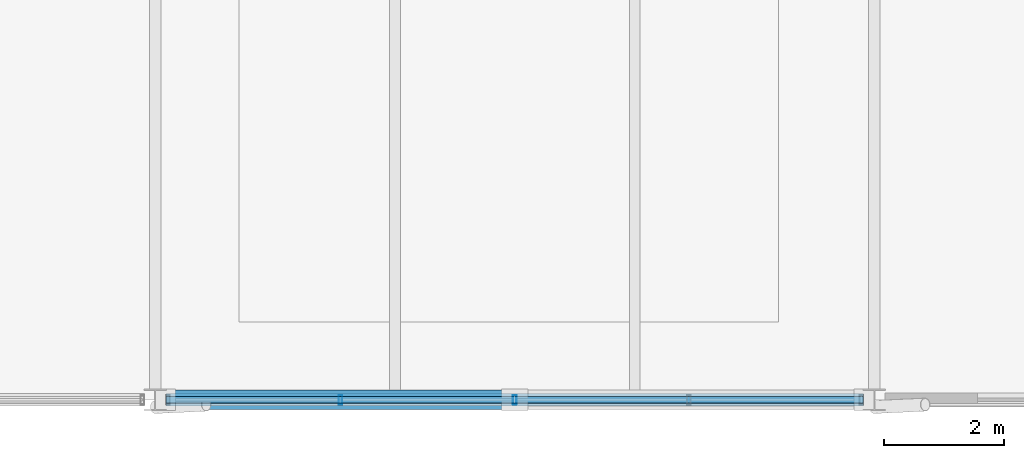
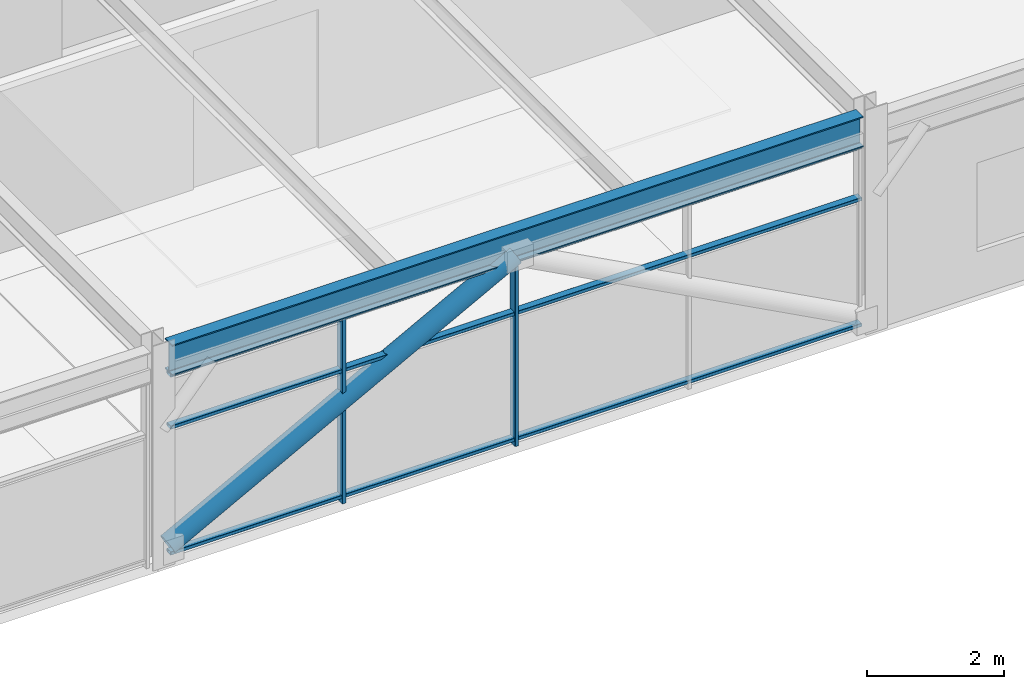
# One storey, part 27 of 40: 6 members, 1 beam, 1 element without a shape of its own.
"""IFC4 building model written with IfcOpenShell, lengths in metres."""

from ifc_helpers import new_model, si_unit, direction, frame, origin, origin_2d, place, context, subcontext, project, spatial, hollow_rectangle, hollow_circle, i_section, extrude, material, material_profile, profile_set, type_object, element, aggregate, save


model = new_model("IFC4")

# Units and contexts
model_context = context("Model", 3, precision=1e-05, world=origin(), true_north=direction((0.0, 1.0)))
body_context = subcontext(model_context, "Body", "Model", "MODEL_VIEW")
ifc_project = project(units=[si_unit("LENGTHUNIT", "METRE"), si_unit("AREAUNIT", "SQUARE_METRE"), si_unit("VOLUMEUNIT", "CUBIC_METRE"), si_unit("PLANEANGLEUNIT", "RADIAN"), si_unit("MASSUNIT", "GRAM", prefix="KILO")], contexts=[model_context])

# Site, building, storey
site_placement = place(None, origin())
site = spatial("IfcSite", under=ifc_project, at=site_placement, CompositionType="ELEMENT")
building_placement = place(site_placement, origin())
building = spatial("IfcBuilding", under=site, at=building_placement, Name="Girod Span Mobility Hub", CompositionType="ELEMENT")
storey_placement = place(building_placement, frame((0.0, 0.0, 57.60009765625)))
storey = spatial("IfcBuildingStorey", under=building, at=storey_placement, Name="L14", CompositionType="ELEMENT", Elevation=57.60009765625)

# Beam
ifc_material_1 = material(Name="Steel A992 Grade 50", Category="steel")
ifc_material_profile_1 = material_profile(ifc_material_1, i_section(OverallWidth=0.2119140625, OverallDepth=0.5439453125, WebThickness=0.01318359375, FlangeThickness=0.021240234375, FilletRadius=0.014892578125, at=origin_2d()), Name="W21X83")
ifc_profile_set_1 = profile_set([ifc_material_profile_1], Name="Steel A992 Grade 50")
beam_type = type_object("IfcBeamType", Name="BM-STL-W21X83", PredefinedType="SPANDREL", material=ifc_profile_set_1)
beam_placement = place(storey_placement, frame((108.181396484375, 45.0, 3.577880859375), z_axis=(1.0, 0.0, 0.0), x_axis=(0.0, 1.0, 0.0)))
element("IfcBeam", 1, at=beam_placement, inside=storey, type_object=beam_type, Name="Girder 10-11/D L14", PredefinedType="SPANDREL", context=body_context, shape_type="SweptSolid", body=[
    extrude(i_section(OverallWidth=0.2119140625, OverallDepth=0.5439453125, WebThickness=0.01318359375, FlangeThickness=0.021240234375, FilletRadius=0.014892578125, at=origin_2d()), origin(), (0.0, 0.0, 1.0), 11.63720703125),
])

# Curtain wall, members
ifc_material_2 = material(Name="Thermally Broken Anodised Aluminium", Category="aluminium")
curtain_wall_type = type_object("IfcCurtainWallType", Name="CW-1164X331", PredefinedType="USERDEFINED", material=ifc_material_2)
curtain_wall_placement = place(storey_placement, origin())
curtain_wall = element("IfcCurtainWall", 2, at=curtain_wall_placement, inside=storey, type_object=curtain_wall_type, Name="Unitised Curtain Wall CW-L14-S10 L14", ObjectType="UNITISED CURTAIN WALL", PredefinedType="USERDEFINED")
ifc_material_3 = material(Name="Thermally Broken Anodised Aluminium", Category="aluminium")
ifc_material_profile_2 = material_profile(ifc_material_3, hollow_rectangle(XDim=0.159912109375, YDim=0.06005859375, WallThickness=0.00341796875, InnerFilletRadius=0.00341796875, OuterFilletRadius=0.007080078125, at=origin_2d()), Name="CW-ML-60X160")
ifc_profile_set_2 = profile_set([ifc_material_profile_2], Name="Thermally Broken Anodised Aluminium")
member_type_1 = type_object("IfcMemberType", Name="CWM-ML-3", PredefinedType="MULLION", material=ifc_profile_set_2)
member_1_placement = place(storey_placement, frame((111.09130859375, 45.0, 0.0), z_axis=(0.0, 0.0, 1.0), x_axis=(0.0, 1.0, 0.0)))
member_1 = element("IfcMember", 3, at=member_1_placement, type_object=member_type_1, Name="Curtain Wall Mullion CW-L14-S10-M1", PredefinedType="MULLION", context=body_context, shape_type="SweptSolid", body=[
    extrude(hollow_rectangle(XDim=0.159912109375, YDim=0.06005859375, WallThickness=0.00341796875, InnerFilletRadius=0.00341796875, OuterFilletRadius=0.007080078125, at=origin_2d()), origin(), (0.0, 0.0, 1.0), 3.305908203125),
])
member_2_placement = place(storey_placement, frame((114.0, 45.0, 0.0), z_axis=(0.0, 0.0, 1.0), x_axis=(0.0, 1.0, 0.0)))
member_2 = element("IfcMember", 4, at=member_2_placement, type_object=member_type_1, Name="Curtain Wall Mullion CW-L14-S10-M2", PredefinedType="MULLION", context=body_context, shape_type="SweptSolid", body=[
    extrude(hollow_rectangle(XDim=0.159912109375, YDim=0.06005859375, WallThickness=0.00341796875, InnerFilletRadius=0.00341796875, OuterFilletRadius=0.007080078125, at=origin_2d()), origin(), (0.0, 0.0, 1.0), 3.305908203125),
])
ifc_material_4 = material(Name="Thermally Broken Anodised Aluminium", Category="aluminium")
ifc_material_profile_3 = material_profile(ifc_material_4, hollow_rectangle(XDim=0.1201171875, YDim=0.06005859375, WallThickness=0.00341796875, InnerFilletRadius=0.00341796875, OuterFilletRadius=0.007080078125, at=origin_2d()), Name="CW-TR-60X120")
ifc_profile_set_3 = profile_set([ifc_material_profile_3], Name="Thermally Broken Anodised Aluminium")
member_type_2 = type_object("IfcMemberType", Name="CWM-TR-3", PredefinedType="USERDEFINED", material=ifc_profile_set_3)
member_3_placement = place(storey_placement, frame((108.1826171875, 45.0, 0.10986328125), z_axis=(1.0, 0.0, 0.0), x_axis=(0.0, 1.0, 0.0)))
member_3 = element("IfcMember", 5, at=member_3_placement, type_object=member_type_2, Name="Curtain Wall Transom CW-L14-S10-T1", ObjectType="TRANSOM", PredefinedType="USERDEFINED", context=body_context, shape_type="SweptSolid", body=[
    extrude(hollow_rectangle(XDim=0.1201171875, YDim=0.06005859375, WallThickness=0.00341796875, InnerFilletRadius=0.00341796875, OuterFilletRadius=0.007080078125, at=origin_2d()), origin(), (0.0, 0.0, 1.0), 11.634765625),
])
member_4_placement = place(storey_placement, frame((108.1826171875, 45.0, 2.35009765625), z_axis=(1.0, 0.0, 0.0), x_axis=(0.0, 1.0, 0.0)))
member_4 = element("IfcMember", 6, at=member_4_placement, type_object=member_type_2, Name="Curtain Wall Transom CW-L14-S10-T2", ObjectType="TRANSOM", PredefinedType="USERDEFINED", context=body_context, shape_type="SweptSolid", body=[
    extrude(hollow_rectangle(XDim=0.1201171875, YDim=0.06005859375, WallThickness=0.00341796875, InnerFilletRadius=0.00341796875, OuterFilletRadius=0.007080078125, at=origin_2d()), origin(), (0.0, 0.0, 1.0), 11.634765625),
])
member_5_placement = place(storey_placement, frame((108.1826171875, 45.0, 3.27587890625), z_axis=(1.0, 0.0, 0.0), x_axis=(0.0, 1.0, 0.0)))
member_5 = element("IfcMember", 7, at=member_5_placement, type_object=member_type_2, Name="Curtain Wall Transom CW-L14-S10-T3", ObjectType="TRANSOM", PredefinedType="USERDEFINED", context=body_context, shape_type="SweptSolid", body=[
    extrude(hollow_rectangle(XDim=0.1201171875, YDim=0.06005859375, WallThickness=0.00341796875, InnerFilletRadius=0.00341796875, OuterFilletRadius=0.007080078125, at=origin_2d()), origin(), (0.0, 0.0, 1.0), 11.634765625),
])
aggregate(curtain_wall, [member_1, member_2, member_3, member_4, member_5])

# Member
ifc_material_5 = material(Name="Steel HSS A500 Grade C", Category="steel")
ifc_material_profile_4 = material_profile(ifc_material_5, hollow_circle(Radius=0.162109375, WallThickness=0.01171875, at=origin_2d()), Name="HSS324X12.7")
ifc_profile_set_4 = profile_set([ifc_material_profile_4], Name="Steel HSS A500 Grade C")
member_type_3 = type_object("IfcMemberType", Name="MB-BR-HSS324", PredefinedType="BRACE", material=ifc_profile_set_4)
member_6_placement = place(storey_placement, frame((108.16455078125, 45.0, 0.25), z_axis=(0.882118883512, 0.0, 0.47102683082), x_axis=(0.0, 1.0, 0.0)))
element("IfcMember", 8, at=member_6_placement, inside=storey, type_object=member_type_3, Name="Upper Diagrid Brace 10/D-L L14", PredefinedType="BRACE", context=body_context, shape_type="SweptSolid", body=[
    extrude(hollow_circle(Radius=0.162109375, WallThickness=0.01171875, at=origin_2d()), origin(), (0.0, 0.0, 1.0), 6.615234375),
])

save(model, "model.ifc")
